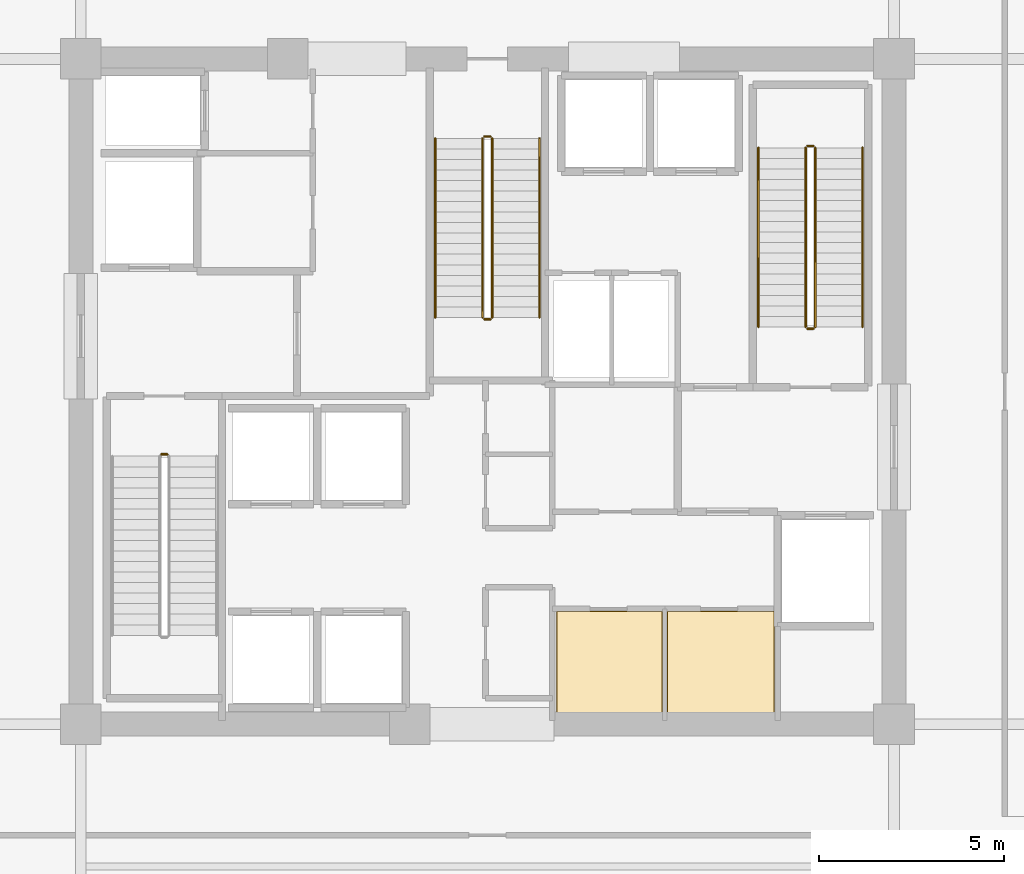
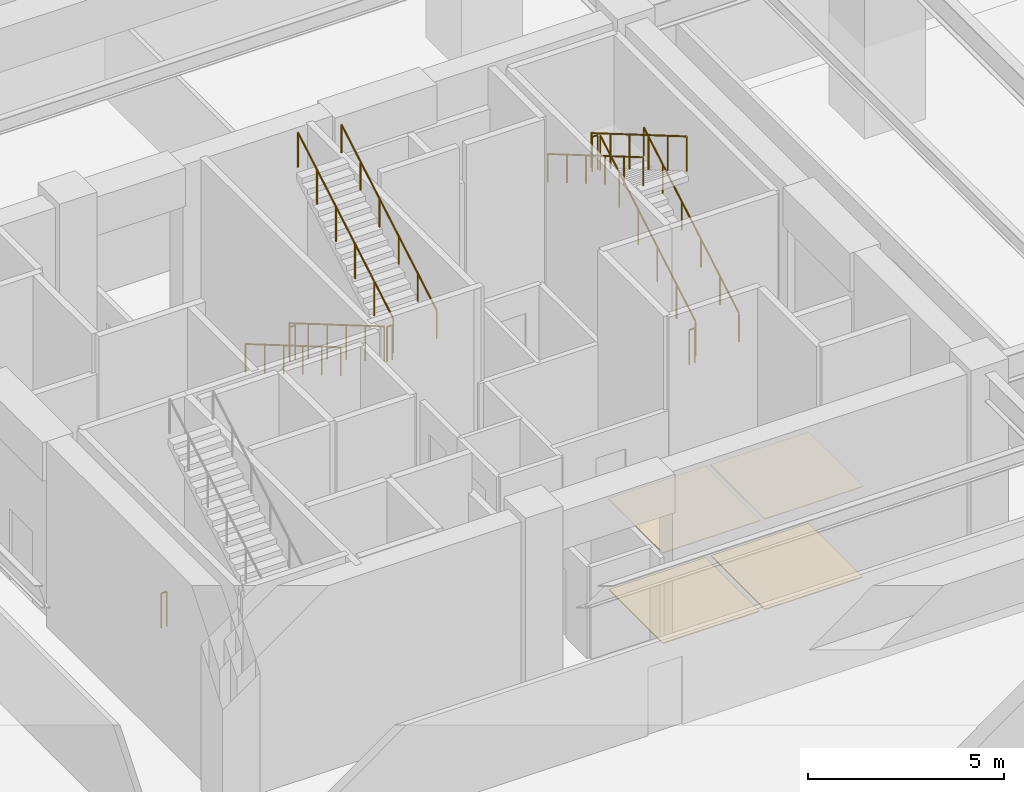
# One storey, part 13 of 14: 13 railings, 4 coverings.
"""IFC4 building model written with IfcOpenShell, lengths in metres."""

from ifc_helpers import new_model, si_unit, direction, frame, origin, origin_2d, place, context, subcontext, project, spatial, polyline, circle, outline, extrude, material, layer, layer_set, type_object, element, save


model = new_model("IFC4")

# Units and contexts
model_context = context("Model", 3, precision=1e-05, world=origin(), true_north=direction((0.0, 1.0)))
body_context = subcontext(model_context, "Body", "Model", "MODEL_VIEW")
ifc_project = project(units=[si_unit("LENGTHUNIT", "METRE"), si_unit("AREAUNIT", "SQUARE_METRE"), si_unit("VOLUMEUNIT", "CUBIC_METRE"), si_unit("PLANEANGLEUNIT", "RADIAN"), si_unit("MASSUNIT", "GRAM", prefix="KILO")], contexts=[model_context])

# Site, building, storey
site_placement = place(None, origin())
site = spatial("IfcSite", under=ifc_project, at=site_placement, CompositionType="ELEMENT")
building_placement = place(site_placement, origin())
building = spatial("IfcBuilding", under=site, at=building_placement, Name="Kovane Verandah Tower", CompositionType="ELEMENT")
storey_placement = place(building_placement, frame((0.0, 0.0, 21.60009765625)))
storey = spatial("IfcBuildingStorey", under=building, at=storey_placement, Name="L04", CompositionType="ELEMENT", Elevation=21.60009765625)

# Coverings
ifc_material_1 = material(Name="Perforated Acoustic Mineral-Fibre Ceiling Tile", Category="gypsum")
ifc_layer_1 = layer(ifc_material_1, 0.02490234375)
ifc_layer_set_1 = layer_set([ifc_layer_1], Name="Perforated Acoustic Mineral-Fibre Ceiling Tile")
covering_type_1 = type_object("IfcCoveringType", Name="CV-CEIL-25", PredefinedType="CEILING", material=ifc_layer_set_1)
covering_1_placement = place(storey_placement, frame((0.0, 0.0, 2.824951171875)))
element("IfcCovering", 1, at=covering_1_placement, inside=storey, type_object=covering_type_1, Name="L04 AV Control Room Acoustic Ceiling", PredefinedType="CEILING", context=body_context, shape_type="SweptSolid", body=[
    extrude(outline(polyline([(41.864990234375, 18.784912109375), (44.735107421875, 18.784912109375), (44.735107421875, 21.56494140625), (41.864990234375, 21.56494140625), (41.864990234375, 18.784912109375)])), origin(), (0.0, 0.0, 1.0), 0.02490234375),
])
covering_2_placement = place(storey_placement, frame((0.0, 0.0, 2.824951171875)))
element("IfcCovering", 2, at=covering_2_placement, inside=storey, type_object=covering_type_1, Name="L04 East IT Server Room Acoustic Ceiling", PredefinedType="CEILING", context=body_context, shape_type="SweptSolid", body=[
    extrude(outline(polyline([(44.864990234375, 18.784912109375), (47.764892578125, 18.784912109375), (47.764892578125, 21.56494140625), (44.864990234375, 21.56494140625), (44.864990234375, 18.784912109375)])), origin(), (0.0, 0.0, 1.0), 0.02490234375),
])
ifc_material_2 = material(Name="Polished Terrazzo and Raised-Access Carpet Tile Finish", Category="concrete")
ifc_layer_2 = layer(ifc_material_2, 0.030029296875)
ifc_layer_set_2 = layer_set([ifc_layer_2], Name="Polished Terrazzo and Raised-Access Carpet Tile Finish")
covering_type_2 = type_object("IfcCoveringType", Name="CV-FLOR-30", PredefinedType="FLOORING", material=ifc_layer_set_2)
covering_3_placement = place(storey_placement, origin())
element("IfcCovering", 3, at=covering_3_placement, inside=storey, type_object=covering_type_2, Name="L04 AV Control Room Floor Finish", PredefinedType="FLOORING", context=body_context, shape_type="SweptSolid", body=[
    extrude(outline(polyline([(41.8798828125, 18.800048828125), (44.719970703125, 18.800048828125), (44.719970703125, 21.550048828125), (41.8798828125, 21.550048828125), (41.8798828125, 18.800048828125)])), origin(), (0.0, 0.0, 1.0), 0.02978515625),
])
covering_4_placement = place(storey_placement, origin())
element("IfcCovering", 4, at=covering_4_placement, inside=storey, type_object=covering_type_2, Name="L04 East IT Server Room Floor Finish", PredefinedType="FLOORING", context=body_context, shape_type="SweptSolid", body=[
    extrude(outline(polyline([(44.8798828125, 18.800048828125), (47.75, 18.800048828125), (47.75, 21.550048828125), (44.8798828125, 21.550048828125), (44.8798828125, 18.800048828125)])), origin(), (0.0, 0.0, 1.0), 0.02978515625),
])

# Railings
ifc_material_3 = material(Name="Brushed Stainless Steel Handrail", Category="steel")
railing_type_1 = type_object("IfcRailingType", Name="RL-HAND-920", PredefinedType="HANDRAIL", material=ifc_material_3)
railing_1_placement = place(storey_placement, frame((50.14990234375, 29.25, 0.16650390625)))
element("IfcRailing", 5, at=railing_1_placement, inside=storey, type_object=railing_type_1, Name="L04 ST-02 stair handrail 1", PredefinedType="HANDRAIL", context=body_context, shape_type="SweptSolid", body=[
    extrude(circle(Radius=0.02392578125, at=origin_2d()), frame((0.0, 0.0, 0.8759765625), z_axis=(0.0, 0.863215142801, 0.504836228136), x_axis=(-1.0, 0.0, 0.0)), (0.0, 0.0, 1.0), 5.61279296875),
    extrude(circle(Radius=0.02099609375, at=origin_2d()), origin(), (0.0, 0.0, 1.0), 0.851806640625),
    extrude(circle(Radius=0.02099609375, at=origin_2d()), frame((0.0, 0.968994140625, 0.566650390625)), (0.0, 0.0, 1.0), 0.851806640625),
    extrude(circle(Radius=0.02099609375, at=origin_2d()), frame((0.0, 1.93798828125, 1.13330078125)), (0.0, 0.0, 1.0), 0.851806640625),
    extrude(circle(Radius=0.02099609375, at=origin_2d()), frame((0.0, 2.906982421875, 1.7001953125)), (0.0, 0.0, 1.0), 0.851806640625),
    extrude(circle(Radius=0.02099609375, at=origin_2d()), frame((0.0, 3.8759765625, 2.266845703125)), (0.0, 0.0, 1.0), 0.851806640625),
    extrude(circle(Radius=0.02099609375, at=origin_2d()), frame((0.0, 4.844970703125, 2.83349609375)), (0.0, 0.0, 1.0), 0.851806640625),
])
railing_2_placement = place(storey_placement, frame((47.330078125, 34.094970703125, 3.16650390625)))
element("IfcRailing", 6, at=railing_2_placement, inside=storey, type_object=railing_type_1, Name="L04 ST-02 stair handrail 2", PredefinedType="HANDRAIL", context=body_context, shape_type="SweptSolid", body=[
    extrude(circle(Radius=0.02392578125, at=origin_2d()), frame((0.0, 0.0, 0.8759765625), z_axis=(0.0, -0.863215142801, 0.504836228136), x_axis=(1.0, 0.0, 0.0)), (0.0, 0.0, 1.0), 5.61279296875),
    extrude(circle(Radius=0.02099609375, at=origin_2d()), origin(), (0.0, 0.0, 1.0), 0.851806640625),
    extrude(circle(Radius=0.02099609375, at=origin_2d()), frame((0.0, -0.968994140625, 0.566650390625)), (0.0, 0.0, 1.0), 0.851806640625),
    extrude(circle(Radius=0.02099609375, at=origin_2d()), frame((0.0, -1.93798828125, 1.13330078125)), (0.0, 0.0, 1.0), 0.851806640625),
    extrude(circle(Radius=0.02099609375, at=origin_2d()), frame((0.0, -2.906982421875, 1.7001953125)), (0.0, 0.0, 1.0), 0.851806640625),
    extrude(circle(Radius=0.02099609375, at=origin_2d()), frame((0.0, -3.8759765625, 2.266845703125)), (0.0, 0.0, 1.0), 0.851806640625),
    extrude(circle(Radius=0.02099609375, at=origin_2d()), frame((0.0, -4.844970703125, 2.83349609375)), (0.0, 0.0, 1.0), 0.851806640625),
])
railing_3_placement = place(storey_placement, frame((38.590087890625, 34.35009765625, 0.16650390625)))
element("IfcRailing", 7, at=railing_3_placement, inside=storey, type_object=railing_type_1, Name="L04 ST-03 stair handrail 1", PredefinedType="HANDRAIL", context=body_context, shape_type="SweptSolid", body=[
    extrude(circle(Radius=0.02392578125, at=origin_2d()), frame((0.0, 0.0, 0.8759765625), z_axis=(0.0, -0.863226228026, 0.504817273127), x_axis=(1.0, 0.0, 0.0)), (0.0, 0.0, 1.0), 5.61279296875),
    extrude(circle(Radius=0.02099609375, at=origin_2d()), origin(), (0.0, 0.0, 1.0), 0.851806640625),
    extrude(circle(Radius=0.02099609375, at=origin_2d()), frame((0.0, -0.968994140625, 0.566650390625)), (0.0, 0.0, 1.0), 0.851806640625),
    extrude(circle(Radius=0.02099609375, at=origin_2d()), frame((0.0, -1.93798828125, 1.13330078125)), (0.0, 0.0, 1.0), 0.851806640625),
    extrude(circle(Radius=0.02099609375, at=origin_2d()), frame((0.0, -2.9072265625, 1.7001953125)), (0.0, 0.0, 1.0), 0.851806640625),
    extrude(circle(Radius=0.02099609375, at=origin_2d()), frame((0.0, -3.876220703125, 2.266845703125)), (0.0, 0.0, 1.0), 0.851806640625),
    extrude(circle(Radius=0.02099609375, at=origin_2d()), frame((0.0, -4.84521484375, 2.83349609375)), (0.0, 0.0, 1.0), 0.851806640625),
])
railing_4_placement = place(storey_placement, frame((41.409912109375, 29.5048828125, 3.16650390625)))
element("IfcRailing", 8, at=railing_4_placement, inside=storey, type_object=railing_type_1, Name="L04 ST-03 stair handrail 2", PredefinedType="HANDRAIL", context=body_context, shape_type="SweptSolid", body=[
    extrude(circle(Radius=0.02392578125, at=origin_2d()), frame((0.0, 0.0, 0.8759765625), z_axis=(0.0, 0.863226228026, 0.504817273127), x_axis=(-1.0, 0.0, 0.0)), (0.0, 0.0, 1.0), 5.61279296875),
    extrude(circle(Radius=0.02099609375, at=origin_2d()), origin(), (0.0, 0.0, 1.0), 0.851806640625),
    extrude(circle(Radius=0.02099609375, at=origin_2d()), frame((0.0, 0.968994140625, 0.566650390625)), (0.0, 0.0, 1.0), 0.851806640625),
    extrude(circle(Radius=0.02099609375, at=origin_2d()), frame((0.0, 1.93798828125, 1.13330078125)), (0.0, 0.0, 1.0), 0.851806640625),
    extrude(circle(Radius=0.02099609375, at=origin_2d()), frame((0.0, 2.9072265625, 1.7001953125)), (0.0, 0.0, 1.0), 0.851806640625),
    extrude(circle(Radius=0.02099609375, at=origin_2d()), frame((0.0, 3.876220703125, 2.266845703125)), (0.0, 0.0, 1.0), 0.851806640625),
    extrude(circle(Radius=0.02099609375, at=origin_2d()), frame((0.0, 4.84521484375, 2.83349609375)), (0.0, 0.0, 1.0), 0.851806640625),
])
ifc_material_4 = material(Name="Painted Steel Stairwell Guardrail", Category="steel")
railing_type_2 = type_object("IfcRailingType", Name="RL-STGUARD-1120", PredefinedType="GUARDRAIL", material=ifc_material_4)
railing_5_placement = place(storey_placement, frame((31.179931640625, 25.800048828125, 0.0)))
element("IfcRailing", 9, at=railing_5_placement, inside=storey, type_object=railing_type_2, Name="L04 ST-01 stair guard 4", PredefinedType="GUARDRAIL", context=body_context, shape_type="SweptSolid", body=[
    extrude(circle(Radius=0.02392578125, at=origin_2d()), frame((0.0, 0.0, 1.076171875), z_axis=(1.0, 0.0, 0.0), x_axis=(0.0, 1.0, 0.0)), (0.0, 0.0, 1.0), 0.16015625),
    extrude(circle(Radius=0.02099609375, at=origin_2d()), origin(), (0.0, 0.0, 1.0), 1.052001953125),
    extrude(circle(Radius=0.02099609375, at=origin_2d()), frame((0.16015625, 0.0, 0.0)), (0.0, 0.0, 1.0), 1.052001953125),
])
railing_6_placement = place(storey_placement, frame((48.8701171875, 29.25, 0.16650390625)))
element("IfcRailing", 10, at=railing_6_placement, inside=storey, type_object=railing_type_2, Name="L04 ST-02 stair guard 1", PredefinedType="GUARDRAIL", context=body_context, shape_type="SweptSolid", body=[
    extrude(circle(Radius=0.02392578125, at=origin_2d()), frame((0.0, 0.0, 1.076171875), z_axis=(0.0, 0.863215142801, 0.504836228136), x_axis=(-1.0, 0.0, 0.0)), (0.0, 0.0, 1.0), 5.61279296875),
    extrude(circle(Radius=0.02099609375, at=origin_2d()), origin(), (0.0, 0.0, 1.0), 1.052001953125),
    extrude(circle(Radius=0.02099609375, at=origin_2d()), frame((0.0, 0.968994140625, 0.566650390625)), (0.0, 0.0, 1.0), 1.052001953125),
    extrude(circle(Radius=0.02099609375, at=origin_2d()), frame((0.0, 1.93798828125, 1.13330078125)), (0.0, 0.0, 1.0), 1.052001953125),
    extrude(circle(Radius=0.02099609375, at=origin_2d()), frame((0.0, 2.906982421875, 1.7001953125)), (0.0, 0.0, 1.0), 1.052001953125),
    extrude(circle(Radius=0.02099609375, at=origin_2d()), frame((0.0, 3.8759765625, 2.266845703125)), (0.0, 0.0, 1.0), 1.052001953125),
    extrude(circle(Radius=0.02099609375, at=origin_2d()), frame((0.0, 4.844970703125, 2.83349609375)), (0.0, 0.0, 1.0), 1.052001953125),
])
railing_7_placement = place(storey_placement, frame((48.820068359375, 34.14501953125, 3.0)))
element("IfcRailing", 11, at=railing_7_placement, inside=storey, type_object=railing_type_2, Name="L04 ST-02 stair guard 2", PredefinedType="GUARDRAIL", context=body_context, shape_type="SweptSolid", body=[
    extrude(circle(Radius=0.02392578125, at=origin_2d()), frame((0.0, 0.0, 1.076171875), z_axis=(-1.0, 0.0, 0.0), x_axis=(0.0, -1.0, 0.0)), (0.0, 0.0, 1.0), 0.16015625),
    extrude(circle(Radius=0.02099609375, at=origin_2d()), origin(), (0.0, 0.0, 1.0), 1.052001953125),
    extrude(circle(Radius=0.02099609375, at=origin_2d()), frame((-0.16015625, 0.0, 0.0)), (0.0, 0.0, 1.0), 1.052001953125),
])
railing_8_placement = place(storey_placement, frame((48.610107421875, 34.094970703125, 3.16650390625)))
element("IfcRailing", 12, at=railing_8_placement, inside=storey, type_object=railing_type_2, Name="L04 ST-02 stair guard 3", PredefinedType="GUARDRAIL", context=body_context, shape_type="SweptSolid", body=[
    extrude(circle(Radius=0.02392578125, at=origin_2d()), frame((0.0, 0.0, 1.076171875), z_axis=(0.0, -0.863215142801, 0.504836228136), x_axis=(1.0, 0.0, 0.0)), (0.0, 0.0, 1.0), 5.61279296875),
    extrude(circle(Radius=0.02099609375, at=origin_2d()), origin(), (0.0, 0.0, 1.0), 1.052001953125),
    extrude(circle(Radius=0.02099609375, at=origin_2d()), frame((0.0, -0.968994140625, 0.566650390625)), (0.0, 0.0, 1.0), 1.052001953125),
    extrude(circle(Radius=0.02099609375, at=origin_2d()), frame((0.0, -1.93798828125, 1.13330078125)), (0.0, 0.0, 1.0), 1.052001953125),
    extrude(circle(Radius=0.02099609375, at=origin_2d()), frame((0.0, -2.906982421875, 1.7001953125)), (0.0, 0.0, 1.0), 1.052001953125),
    extrude(circle(Radius=0.02099609375, at=origin_2d()), frame((0.0, -3.8759765625, 2.266845703125)), (0.0, 0.0, 1.0), 1.052001953125),
    extrude(circle(Radius=0.02099609375, at=origin_2d()), frame((0.0, -4.844970703125, 2.83349609375)), (0.0, 0.0, 1.0), 1.052001953125),
])
railing_9_placement = place(storey_placement, frame((48.820068359375, 29.199951171875, 0.0)))
element("IfcRailing", 13, at=railing_9_placement, inside=storey, type_object=railing_type_2, Name="L04 ST-02 stair guard 4", PredefinedType="GUARDRAIL", context=body_context, shape_type="SweptSolid", body=[
    extrude(circle(Radius=0.02392578125, at=origin_2d()), frame((0.0, 0.0, 1.076171875), z_axis=(-1.0, 0.0, 0.0), x_axis=(0.0, -1.0, 0.0)), (0.0, 0.0, 1.0), 0.16015625),
    extrude(circle(Radius=0.02099609375, at=origin_2d()), origin(), (0.0, 0.0, 1.0), 1.052001953125),
    extrude(circle(Radius=0.02099609375, at=origin_2d()), frame((-0.16015625, 0.0, 0.0)), (0.0, 0.0, 1.0), 1.052001953125),
])
railing_10_placement = place(storey_placement, frame((39.8701171875, 34.35009765625, 0.16650390625)))
element("IfcRailing", 14, at=railing_10_placement, inside=storey, type_object=railing_type_2, Name="L04 ST-03 stair guard 1", PredefinedType="GUARDRAIL", context=body_context, shape_type="SweptSolid", body=[
    extrude(circle(Radius=0.02392578125, at=origin_2d()), frame((0.0, 0.0, 1.076171875), z_axis=(0.0, -0.863226228026, 0.504817273127), x_axis=(1.0, 0.0, 0.0)), (0.0, 0.0, 1.0), 5.61279296875),
    extrude(circle(Radius=0.02099609375, at=origin_2d()), origin(), (0.0, 0.0, 1.0), 1.052001953125),
    extrude(circle(Radius=0.02099609375, at=origin_2d()), frame((0.0, -0.968994140625, 0.566650390625)), (0.0, 0.0, 1.0), 1.052001953125),
    extrude(circle(Radius=0.02099609375, at=origin_2d()), frame((0.0, -1.93798828125, 1.13330078125)), (0.0, 0.0, 1.0), 1.052001953125),
    extrude(circle(Radius=0.02099609375, at=origin_2d()), frame((0.0, -2.9072265625, 1.7001953125)), (0.0, 0.0, 1.0), 1.052001953125),
    extrude(circle(Radius=0.02099609375, at=origin_2d()), frame((0.0, -3.876220703125, 2.266845703125)), (0.0, 0.0, 1.0), 1.052001953125),
    extrude(circle(Radius=0.02099609375, at=origin_2d()), frame((0.0, -4.84521484375, 2.83349609375)), (0.0, 0.0, 1.0), 1.052001953125),
])
railing_11_placement = place(storey_placement, frame((39.919921875, 29.455078125, 3.0)))
element("IfcRailing", 15, at=railing_11_placement, inside=storey, type_object=railing_type_2, Name="L04 ST-03 stair guard 2", PredefinedType="GUARDRAIL", context=body_context, shape_type="SweptSolid", body=[
    extrude(circle(Radius=0.02392578125, at=origin_2d()), frame((0.0, 0.0, 1.076171875), z_axis=(1.0, 0.0, 0.0), x_axis=(0.0, 1.0, 0.0)), (0.0, 0.0, 1.0), 0.16015625),
    extrude(circle(Radius=0.02099609375, at=origin_2d()), origin(), (0.0, 0.0, 1.0), 1.052001953125),
    extrude(circle(Radius=0.02099609375, at=origin_2d()), frame((0.16015625, 0.0, 0.0)), (0.0, 0.0, 1.0), 1.052001953125),
])
railing_12_placement = place(storey_placement, frame((40.1298828125, 29.5048828125, 3.16650390625)))
element("IfcRailing", 16, at=railing_12_placement, inside=storey, type_object=railing_type_2, Name="L04 ST-03 stair guard 3", PredefinedType="GUARDRAIL", context=body_context, shape_type="SweptSolid", body=[
    extrude(circle(Radius=0.02392578125, at=origin_2d()), frame((0.0, 0.0, 1.076171875), z_axis=(0.0, 0.863226228026, 0.504817273127), x_axis=(-1.0, 0.0, 0.0)), (0.0, 0.0, 1.0), 5.61279296875),
    extrude(circle(Radius=0.02099609375, at=origin_2d()), origin(), (0.0, 0.0, 1.0), 1.052001953125),
    extrude(circle(Radius=0.02099609375, at=origin_2d()), frame((0.0, 0.968994140625, 0.566650390625)), (0.0, 0.0, 1.0), 1.052001953125),
    extrude(circle(Radius=0.02099609375, at=origin_2d()), frame((0.0, 1.93798828125, 1.13330078125)), (0.0, 0.0, 1.0), 1.052001953125),
    extrude(circle(Radius=0.02099609375, at=origin_2d()), frame((0.0, 2.9072265625, 1.7001953125)), (0.0, 0.0, 1.0), 1.052001953125),
    extrude(circle(Radius=0.02099609375, at=origin_2d()), frame((0.0, 3.876220703125, 2.266845703125)), (0.0, 0.0, 1.0), 1.052001953125),
    extrude(circle(Radius=0.02099609375, at=origin_2d()), frame((0.0, 4.84521484375, 2.83349609375)), (0.0, 0.0, 1.0), 1.052001953125),
])
railing_13_placement = place(storey_placement, frame((39.919921875, 34.39990234375, 0.0)))
element("IfcRailing", 17, at=railing_13_placement, inside=storey, type_object=railing_type_2, Name="L04 ST-03 stair guard 4", PredefinedType="GUARDRAIL", context=body_context, shape_type="SweptSolid", body=[
    extrude(circle(Radius=0.02392578125, at=origin_2d()), frame((0.0, 0.0, 1.076171875), z_axis=(1.0, 0.0, 0.0), x_axis=(0.0, 1.0, 0.0)), (0.0, 0.0, 1.0), 0.16015625),
    extrude(circle(Radius=0.02099609375, at=origin_2d()), origin(), (0.0, 0.0, 1.0), 1.052001953125),
    extrude(circle(Radius=0.02099609375, at=origin_2d()), frame((0.16015625, 0.0, 0.0)), (0.0, 0.0, 1.0), 1.052001953125),
])

save(model, "model.ifc")
